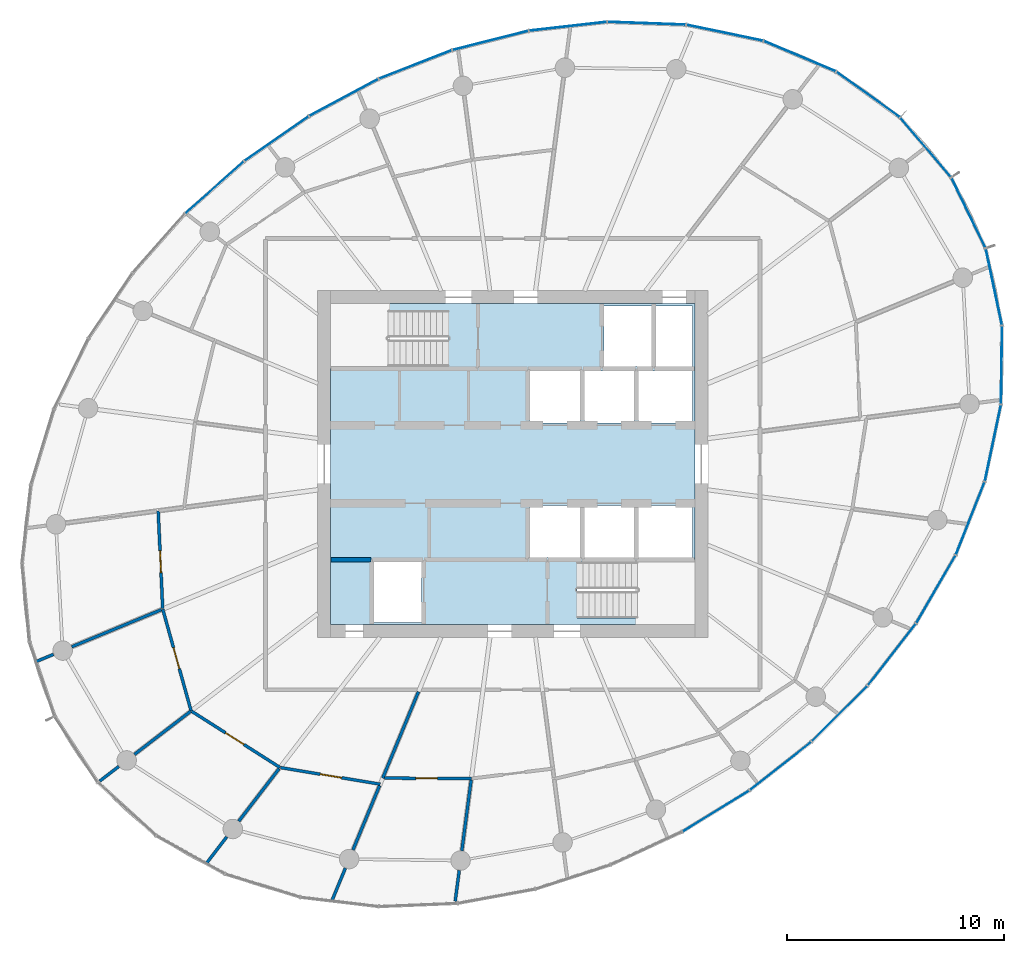
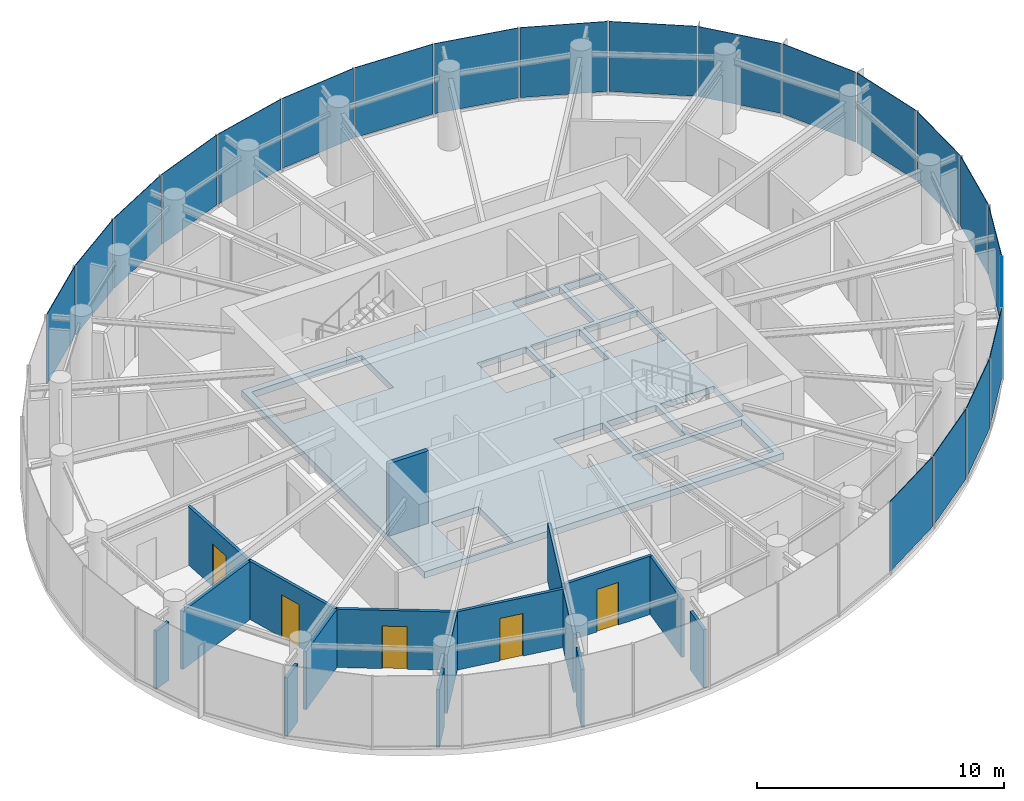
# One storey, part 9 of 15: 21 plates, 17 walls, 5 doors, 1 slab, 5 openings, 4 elements without a shape of their own.
"""IFC4 building model written with IfcOpenShell, lengths in metres."""

from ifc_helpers import new_model, si_unit, direction, frame, frame_2d, origin, origin_2d, place, context, subcontext, project, spatial, line, indexed_curve, rectangle, outline, extrude, source, transform, mapped, material, layer, layer_set, type_object, element, fill, aggregate, save


model = new_model("IFC4")

# Units and contexts
model_context = context("Model", 3, precision=1e-05, world=origin(), true_north=direction((0.0, 1.0)))
body_context = subcontext(model_context, "Body", "Model", "MODEL_VIEW")
ifc_project = project(units=[si_unit("LENGTHUNIT", "METRE"), si_unit("AREAUNIT", "SQUARE_METRE"), si_unit("VOLUMEUNIT", "CUBIC_METRE"), si_unit("PLANEANGLEUNIT", "RADIAN"), si_unit("MASSUNIT", "GRAM", prefix="KILO")], contexts=[model_context])

# Site, building, storey
site_placement = place(None, origin())
site = spatial("IfcSite", under=ifc_project, at=site_placement, CompositionType="ELEMENT")
building_placement = place(site_placement, origin())
building = spatial("IfcBuilding", under=site, at=building_placement, Name="Spindrift Exchange Tower", CompositionType="ELEMENT")
storey_placement = place(building_placement, frame((0.0, 0.0, 191.60009765625)))
storey = spatial("IfcBuildingStorey", under=building, at=storey_placement, Name="L46", CompositionType="ELEMENT", Elevation=191.60009765625)

# Slab
ifc_material_1 = material(Name="Concrete 50 MPa", Category="concrete")
ifc_layer_1 = layer(ifc_material_1, 0.320068359375)
ifc_layer_set_1 = layer_set([ifc_layer_1], Name="SL-CORE-FLOOR-320")
slab_type = type_object("IfcSlabType", Name="SL-CORE-FLOOR-320", PredefinedType="FLOOR", material=ifc_layer_set_1)
slab_placement = place(storey_placement, frame((0.0, 0.0, -0.320068359375)))
element("IfcSlab", 1, at=slab_placement, inside=storey, type_object=slab_type, Name="L46 Core floor slab", PredefinedType="FLOOR", context=body_context, shape_type="SweptSolid", body=[
    extrude(outline(indexed_curve([(43.60009765625, 40.60009765625), (43.60009765625, 55.39990234375), (60.39990234375, 55.39990234375), (60.39990234375, 40.60009765625)], segments=[line(1, 2, 3, 4, 1)], self_intersect=False), holes=[indexed_curve([(45.60009765625, 43.5), (45.60009765625, 40.699951171875), (47.800048828125, 40.699951171875), (47.800048828125, 43.5)], segments=[line(1, 2, 3, 4, 1)], self_intersect=False), indexed_curve([(52.800048828125, 46.10009765625), (52.800048828125, 43.699951171875), (55.10009765625, 43.699951171875), (55.10009765625, 46.10009765625)], segments=[line(1, 2, 3, 4, 1)], self_intersect=False), indexed_curve([(55.300048828125, 46.10009765625), (55.300048828125, 43.699951171875), (57.60009765625, 43.699951171875), (57.60009765625, 46.10009765625)], segments=[line(1, 2, 3, 4, 1)], self_intersect=False), indexed_curve([(55.10009765625, 52.300048828125), (52.800048828125, 52.300048828125), (52.800048828125, 49.89990234375), (55.10009765625, 49.89990234375)], segments=[line(1, 2, 3, 4, 1)], self_intersect=False), indexed_curve([(57.60009765625, 52.300048828125), (55.300048828125, 52.300048828125), (55.300048828125, 49.89990234375), (57.60009765625, 49.89990234375)], segments=[line(1, 2, 3, 4, 1)], self_intersect=False), indexed_curve([(43.906005859375, 52.506103515625), (49.0439453125, 52.506103515625), (49.0439453125, 55.093994140625), (43.906005859375, 55.093994140625)], segments=[line(1, 2, 3, 4, 1)], self_intersect=False), indexed_curve([(60.093994140625, 40.906005859375), (60.093994140625, 43.493896484375), (54.9560546875, 43.493896484375), (54.9560546875, 40.906005859375)], segments=[line(1, 2, 3, 4, 1)], self_intersect=False), indexed_curve([(60.300048828125, 46.10009765625), (57.800048828125, 46.10009765625), (57.800048828125, 43.699951171875), (60.300048828125, 43.699951171875)], segments=[line(1, 2, 3, 4, 1)], self_intersect=False), indexed_curve([(57.800048828125, 52.300048828125), (57.800048828125, 49.89990234375), (60.300048828125, 49.89990234375), (60.300048828125, 52.300048828125)], segments=[line(1, 2, 3, 4, 1)], self_intersect=False), indexed_curve([(58.39990234375, 55.300048828125), (56.199951171875, 55.300048828125), (56.199951171875, 52.5), (58.39990234375, 52.5)], segments=[line(1, 2, 3, 4, 1)], self_intersect=False), indexed_curve([(60.300048828125, 55.300048828125), (58.60009765625, 55.300048828125), (58.60009765625, 52.5), (60.300048828125, 52.5)], segments=[line(1, 2, 3, 4, 1)], self_intersect=False)]), origin(), (0.0, 0.0, 1.0), 0.320068359375),
])

# Curtain wall, plate
ifc_material_2 = material(Name="Fritted laminated glass with bronze frame", Category="glass")
ifc_layer_2 = layer(ifc_material_2, 0.169921875)
ifc_layer_set_2 = layer_set([ifc_layer_2], Name="ZONE 4 BRONZE FRITTED WALL")
curtain_wall_type = type_object("IfcCurtainWallType", Name="ZONE 4 BRONZE FRITTED WALL", PredefinedType="NOTDEFINED", material=ifc_layer_set_2)
curtain_wall_1_placement = place(storey_placement, origin())
curtain_wall_1 = element("IfcCurtainWall", 2, at=curtain_wall_1_placement, inside=storey, type_object=curtain_wall_type, Name="L46 Zone 4 Bronze Fritted Wall run 2", PredefinedType="NOTDEFINED")
ifc_material_3 = material(Name="Bronze fritted laminated glass, open frit", Category="glass")
ifc_layer_3 = layer(ifc_material_3, 0.030029296875)
ifc_layer_set_3 = layer_set([ifc_layer_3], Name="ZONE 4 BRONZE FRITTED WALL PANEL OPEN FRIT 600")
plate_type_1 = type_object("IfcPlateType", Name="ZONE 4 BRONZE FRITTED WALL PANEL OPEN FRIT 600", PredefinedType="CURTAIN_PANEL", material=ifc_layer_set_3)
shared_shape_1 = source(origin(), body_context, "Body", "SweptSolid", [
    extrude(rectangle(XDim=3.577392578125, YDim=0.030029296875, at=origin_2d()), origin(), (0.0, 0.0, 1.0), 3.455078125),
])
plate_1_placement = place(storey_placement, frame((50.971923828125, 67.53662109375, 0.124755859375), z_axis=(0.0, 0.0, 1.0), x_axis=(-0.969458620883, -0.245254933479, 0.0)))
plate_1 = element("IfcPlate", 3, at=plate_1_placement, type_object=plate_type_1, Name="L46 panel CW-4.7", PredefinedType="CURTAIN_PANEL", context=body_context, shape_type="MappedRepresentation", body=[
    mapped(shared_shape_1, transform((0.0, 0.0, 0.0), scale=1.0)),
])

# Curtain wall, plates
curtain_wall_2_placement = place(storey_placement, origin())
curtain_wall_2 = element("IfcCurtainWall", 4, at=curtain_wall_2_placement, inside=storey, type_object=curtain_wall_type, Name="L46 Zone 4 Bronze Fritted Wall run 5", PredefinedType="NOTDEFINED")
ifc_layer_4 = layer(ifc_material_3, 0.030029296875)
ifc_layer_set_4 = layer_set([ifc_layer_4], Name="ZONE 4 BRONZE FRITTED WALL PANEL OPEN FRIT 360")
plate_type_2 = type_object("IfcPlateType", Name="ZONE 4 BRONZE FRITTED WALL PANEL OPEN FRIT 360", PredefinedType="CURTAIN_PANEL", material=ifc_layer_set_4)
shared_shape_2 = source(origin(), body_context, "Body", "SweptSolid", [
    extrude(rectangle(XDim=3.57763671875, YDim=0.030029296875, at=origin_2d()), origin(), (0.0, 0.0, 1.0), 3.455078125),
])
plate_2_placement = place(storey_placement, frame((64.35498046875, 34.078369140625, 0.124755859375), z_axis=(0.0, 0.0, 1.0), x_axis=(0.786138515784, 0.618050349082, 0.0)))
plate_2 = element("IfcPlate", 5, at=plate_2_placement, type_object=plate_type_2, Name="L46 panel CW-4.29", PredefinedType="CURTAIN_PANEL", context=body_context, shape_type="MappedRepresentation", body=[
    mapped(shared_shape_2, transform((0.0, 0.0, 0.0), scale=1.0)),
])
plate_3_placement = place(storey_placement, frame((67.0751953125, 36.49169921875, 0.124755859375), z_axis=(0.0, 0.0, 1.0), x_axis=(0.707285707993, 0.706927809093, 0.0)))
plate_3 = element("IfcPlate", 6, at=plate_3_placement, type_object=plate_type_2, Name="L46 panel CW-4.30", PredefinedType="CURTAIN_PANEL", context=body_context, shape_type="MappedRepresentation", body=[
    mapped(shared_shape_2, transform((0.0, 0.0, 0.0), scale=1.0)),
])

# Plate
shared_shape_3 = source(origin(), body_context, "Body", "SweptSolid", [
    extrude(rectangle(XDim=3.577880859375, YDim=0.030029296875, at=origin_2d()), origin(), (0.0, 0.0, 1.0), 3.455078125),
])
plate_4_placement = place(storey_placement, frame((41.107177734375, 63.00390625, 0.124755859375), z_axis=(0.0, 0.0, 1.0), x_axis=(-0.820811393258, -0.571199314336, 0.0)))
plate_4 = element("IfcPlate", 7, at=plate_4_placement, type_object=plate_type_2, Name="L46 panel CW-4.10", PredefinedType="CURTAIN_PANEL", context=body_context, shape_type="MappedRepresentation", body=[
    mapped(shared_shape_3, transform((0.0, 0.0, 0.0), scale=1.0)),
])

plate_5_placement = place(storey_placement, frame((61.3701171875, 32.000732421875, 0.124755859375), z_axis=(0.0, 0.0, 1.0), x_axis=(0.852610981199, 0.522546184311, 0.0)))
plate_5 = element("IfcPlate", 8, at=plate_5_placement, type_object=plate_type_2, Name="L46 panel CW-4.28", PredefinedType="CURTAIN_PANEL", context=body_context, shape_type="MappedRepresentation", body=[
    mapped(shared_shape_3, transform((0.0, 0.0, 0.0), scale=1.0)),
])

aggregate(curtain_wall_2, [plate_5, plate_2, plate_3])

shared_shape_4 = source(origin(), body_context, "Body", "SweptSolid", [
    extrude(rectangle(XDim=3.577880859375, YDim=0.030029296875, at=origin_2d()), origin(), (0.0, 0.0, 1.0), 3.455078125),
])
plate_6_placement = place(storey_placement, frame((44.2080078125, 64.904052734375, 0.124755859375), z_axis=(0.0, 0.0, 1.0), x_axis=(-0.881628197795, -0.471944616298, 0.0)))
plate_6 = element("IfcPlate", 9, at=plate_6_placement, type_object=plate_type_1, Name="L46 panel CW-4.9", PredefinedType="CURTAIN_PANEL", context=body_context, shape_type="MappedRepresentation", body=[
    mapped(shared_shape_4, transform((0.0, 0.0, 0.0), scale=1.0)),
])

plate_7_placement = place(storey_placement, frame((38.248779296875, 60.755615234375, 0.124755859375), z_axis=(0.0, 0.0, 1.0), x_axis=(-0.748388766795, -0.663260321243, 0.0)))
plate_7 = element("IfcPlate", 10, at=plate_7_placement, type_object=plate_type_1, Name="L46 panel CW-4.11", PredefinedType="CURTAIN_PANEL", context=body_context, shape_type="MappedRepresentation", body=[
    mapped(shared_shape_4, transform((0.0, 0.0, 0.0), scale=1.0)),
])

# Curtain wall, plate
curtain_wall_3_placement = place(storey_placement, origin())
curtain_wall_3 = element("IfcCurtainWall", 11, at=curtain_wall_3_placement, inside=storey, type_object=curtain_wall_type, Name="L46 Zone 4 Bronze Fritted Wall run 6", PredefinedType="NOTDEFINED")
ifc_layer_5 = layer(ifc_material_3, 0.030029296875)
ifc_layer_set_5 = layer_set([ifc_layer_5], Name="ZONE 4 BRONZE FRITTED WALL PANEL OPEN FRIT 480")
plate_type_3 = type_object("IfcPlateType", Name="ZONE 4 BRONZE FRITTED WALL PANEL OPEN FRIT 480", PredefinedType="CURTAIN_PANEL", material=ifc_layer_set_5)
shared_shape_5 = source(origin(), body_context, "Body", "SweptSolid", [
    extrude(rectangle(XDim=3.577392578125, YDim=0.030029296875, at=origin_2d()), origin(), (0.0, 0.0, 1.0), 3.455078125),
])
plate_8_placement = place(storey_placement, frame((69.48095703125, 39.216796875, 0.124755859375), z_axis=(0.0, 0.0, 1.0), x_axis=(0.613756212948, 0.789495605477, 0.0)))
plate_8 = element("IfcPlate", 12, at=plate_8_placement, type_object=plate_type_3, Name="L46 panel CW-4.31", PredefinedType="CURTAIN_PANEL", context=body_context, shape_type="MappedRepresentation", body=[
    mapped(shared_shape_5, transform((0.0, 0.0, 0.0), scale=1.0)),
])

# Curtain wall, plates
curtain_wall_4_placement = place(storey_placement, origin())
curtain_wall_4 = element("IfcCurtainWall", 13, at=curtain_wall_4_placement, inside=storey, type_object=curtain_wall_type, Name="L46 Zone 4 Bronze Fritted Wall run 1", PredefinedType="NOTDEFINED")
shared_shape_6 = source(origin(), body_context, "Body", "SweptSolid", [
    extrude(rectangle(XDim=3.5703125, YDim=0.030029296875, at=origin_2d()), origin(), (0.0, 0.0, 1.0), 3.455078125),
])
plate_9_placement = place(storey_placement, frame((71.04541015625, 62.601806640625, 0.124755859375), z_axis=(0.0, 0.0, 1.0), x_axis=(-0.648461423569, 0.761247517003, 0.0)))
plate_9 = element("IfcPlate", 14, at=plate_9_placement, type_object=plate_type_1, Name="L46 panel CW-4.1", PredefinedType="CURTAIN_PANEL", context=body_context, shape_type="MappedRepresentation", body=[
    mapped(shared_shape_6, transform((0.0, 0.0, 0.0), scale=1.0)),
])
shared_shape_7 = source(origin(), body_context, "Body", "SweptSolid", [
    extrude(rectangle(XDim=3.571533203125, YDim=0.030029296875, at=origin_2d()), origin(), (0.0, 0.0, 1.0), 3.455078125),
])
plate_10_placement = place(storey_placement, frame((68.38818359375, 65.04345703125, 0.124755859375), z_axis=(0.0, 0.0, 1.0), x_axis=(-0.813229772595, 0.581942726533, 0.0)))
plate_10 = element("IfcPlate", 15, at=plate_10_placement, type_object=plate_type_3, Name="L46 panel CW-4.2", PredefinedType="CURTAIN_PANEL", context=body_context, shape_type="MappedRepresentation", body=[
    mapped(shared_shape_7, transform((0.0, 0.0, 0.0), scale=1.0)),
])
shared_shape_8 = source(origin(), body_context, "Body", "SweptSolid", [
    extrude(rectangle(XDim=3.5732421875, YDim=0.030029296875, at=origin_2d()), origin(), (0.0, 0.0, 1.0), 3.455078125),
])
plate_11_placement = place(storey_placement, frame((65.233642578125, 66.809814453125, 0.124755859375), z_axis=(0.0, 0.0, 1.0), x_axis=(-0.92114465155, 0.389220414317, 0.0)))
plate_11 = element("IfcPlate", 16, at=plate_11_placement, type_object=plate_type_3, Name="L46 panel CW-4.3", PredefinedType="CURTAIN_PANEL", context=body_context, shape_type="MappedRepresentation", body=[
    mapped(shared_shape_8, transform((0.0, 0.0, 0.0), scale=1.0)),
])

# Plate
plate_12_placement = place(storey_placement, frame((74.539794921875, 52.5712890625, 0.124755859375), z_axis=(0.0, 0.0, 1.0), x_axis=(0.013248406761, 0.999912236008, 0.0)))
plate_12 = element("IfcPlate", 17, at=plate_12_placement, type_object=plate_type_3, Name="L46 panel CW-4.35", PredefinedType="CURTAIN_PANEL", context=body_context, shape_type="MappedRepresentation", body=[
    mapped(shared_shape_8, transform((0.0, 0.0, 0.0), scale=1.0)),
])

shared_shape_9 = source(origin(), body_context, "Body", "SweptSolid", [
    extrude(rectangle(XDim=3.574951171875, YDim=0.030029296875, at=origin_2d()), origin(), (0.0, 0.0, 1.0), 3.455078125),
])
plate_13_placement = place(storey_placement, frame((61.7763671875, 67.889404296875, 0.124755859375), z_axis=(0.0, 0.0, 1.0), x_axis=(-0.978927308056, 0.204209024146, 0.0)))
plate_13 = element("IfcPlate", 18, at=plate_13_placement, type_object=plate_type_2, Name="L46 panel CW-4.4", PredefinedType="CURTAIN_PANEL", context=body_context, shape_type="MappedRepresentation", body=[
    mapped(shared_shape_9, transform((0.0, 0.0, 0.0), scale=1.0)),
])

shared_shape_10 = source(origin(), body_context, "Body", "SweptSolid", [
    extrude(rectangle(XDim=3.576171875, YDim=0.030029296875, at=origin_2d()), origin(), (0.0, 0.0, 1.0), 3.455078125),
])
plate_14_placement = place(storey_placement, frame((58.17529296875, 68.327392578125, 0.124755859375), z_axis=(0.0, 0.0, 1.0), x_axis=(-0.999337635301, 0.03639080476, 0.0)))
plate_14 = element("IfcPlate", 19, at=plate_14_placement, type_object=plate_type_1, Name="L46 panel CW-4.5", PredefinedType="CURTAIN_PANEL", context=body_context, shape_type="MappedRepresentation", body=[
    mapped(shared_shape_10, transform((0.0, 0.0, 0.0), scale=1.0)),
])

shared_shape_11 = source(origin(), body_context, "Body", "SweptSolid", [
    extrude(rectangle(XDim=3.576904296875, YDim=0.030029296875, at=origin_2d()), origin(), (0.0, 0.0, 1.0), 3.455078125),
])
plate_15_placement = place(storey_placement, frame((54.546875, 68.188232421875, 0.124755859375), z_axis=(0.0, 0.0, 1.0), x_axis=(-0.993626861828, -0.112719383669, 0.0)))
plate_15 = element("IfcPlate", 20, at=plate_15_placement, type_object=plate_type_1, Name="L46 panel CW-4.6", PredefinedType="CURTAIN_PANEL", context=body_context, shape_type="MappedRepresentation", body=[
    mapped(shared_shape_11, transform((0.0, 0.0, 0.0), scale=1.0)),
])

aggregate(curtain_wall_4, [plate_9, plate_10, plate_11, plate_13, plate_14, plate_15])

shared_shape_12 = source(origin(), body_context, "Body", "SweptSolid", [
    extrude(rectangle(XDim=3.57763671875, YDim=0.030029296875, at=origin_2d()), origin(), (0.0, 0.0, 1.0), 3.455078125),
])
plate_16_placement = place(storey_placement, frame((47.510009765625, 66.4267578125, 0.124755859375), z_axis=(0.0, 0.0, 1.0), x_axis=(-0.931371334695, -0.364070648238, 0.0)))
plate_16 = element("IfcPlate", 21, at=plate_16_placement, type_object=plate_type_1, Name="L46 panel CW-4.8", PredefinedType="CURTAIN_PANEL", context=body_context, shape_type="MappedRepresentation", body=[
    mapped(shared_shape_12, transform((0.0, 0.0, 0.0), scale=1.0)),
])

aggregate(curtain_wall_1, [plate_1, plate_16, plate_6, plate_4, plate_7])

shared_shape_13 = source(origin(), body_context, "Body", "SweptSolid", [
    extrude(rectangle(XDim=3.576904296875, YDim=0.030029296875, at=origin_2d()), origin(), (0.0, 0.0, 1.0), 3.455078125),
])
plate_17_placement = place(storey_placement, frame((71.512939453125, 42.2294921875, 0.124755859375), z_axis=(0.0, 0.0, 1.0), x_axis=(0.502073851179, 0.864824749855, 0.0)))
plate_17 = element("IfcPlate", 22, at=plate_17_placement, type_object=plate_type_3, Name="L46 panel CW-4.32", PredefinedType="CURTAIN_PANEL", context=body_context, shape_type="MappedRepresentation", body=[
    mapped(shared_shape_13, transform((0.0, 0.0, 0.0), scale=1.0)),
])

shared_shape_14 = source(origin(), body_context, "Body", "SweptSolid", [
    extrude(rectangle(XDim=3.575927734375, YDim=0.030029296875, at=origin_2d()), origin(), (0.0, 0.0, 1.0), 3.455078125),
])
plate_18_placement = place(storey_placement, frame((73.0966796875, 45.497314453125, 0.124755859375), z_axis=(0.0, 0.0, 1.0), x_axis=(0.367751286832, 0.929924185638, 0.0)))
plate_18 = element("IfcPlate", 23, at=plate_18_placement, type_object=plate_type_2, Name="L46 panel CW-4.33", PredefinedType="CURTAIN_PANEL", context=body_context, shape_type="MappedRepresentation", body=[
    mapped(shared_shape_14, transform((0.0, 0.0, 0.0), scale=1.0)),
])

shared_shape_15 = source(origin(), body_context, "Body", "SweptSolid", [
    extrude(rectangle(XDim=3.574951171875, YDim=0.030029296875, at=origin_2d()), origin(), (0.0, 0.0, 1.0), 3.455078125),
])
plate_19_placement = place(storey_placement, frame((74.14111328125, 48.97119140625, 0.124755859375), z_axis=(0.0, 0.0, 1.0), x_axis=(0.205879688197, 0.978577311196, 0.0)))
plate_19 = element("IfcPlate", 24, at=plate_19_placement, type_object=plate_type_3, Name="L46 panel CW-4.34", PredefinedType="CURTAIN_PANEL", context=body_context, shape_type="MappedRepresentation", body=[
    mapped(shared_shape_15, transform((0.0, 0.0, 0.0), scale=1.0)),
])

shared_shape_16 = source(origin(), body_context, "Body", "SweptSolid", [
    extrude(rectangle(XDim=3.571533203125, YDim=0.030029296875, at=origin_2d()), origin(), (0.0, 0.0, 1.0), 3.455078125),
])
plate_20_placement = place(storey_placement, frame((74.188232421875, 56.169189453125, 0.124755859375), z_axis=(0.0, 0.0, 1.0), x_axis=(-0.206596967454, 0.978426130599, 0.0)))
plate_20 = element("IfcPlate", 25, at=plate_20_placement, type_object=plate_type_2, Name="L46 panel CW-4.36", PredefinedType="CURTAIN_PANEL", context=body_context, shape_type="MappedRepresentation", body=[
    mapped(shared_shape_16, transform((0.0, 0.0, 0.0), scale=1.0)),
])

shared_shape_17 = source(origin(), body_context, "Body", "SweptSolid", [
    extrude(rectangle(XDim=3.5703125, YDim=0.030029296875, at=origin_2d()), origin(), (0.0, 0.0, 1.0), 3.455078125),
])
plate_21_placement = place(storey_placement, frame((73.018310546875, 59.583251953125, 0.124755859375), z_axis=(0.0, 0.0, 1.0), x_axis=(-0.436972913133, 0.899474665117, 0.0)))
plate_21 = element("IfcPlate", 26, at=plate_21_placement, type_object=plate_type_3, Name="L46 panel CW-4.37", PredefinedType="CURTAIN_PANEL", context=body_context, shape_type="MappedRepresentation", body=[
    mapped(shared_shape_17, transform((0.0, 0.0, 0.0), scale=1.0)),
])

aggregate(curtain_wall_3, [plate_8, plate_17, plate_18, plate_19, plate_12, plate_20, plate_21])

# Wall, opening, door
ifc_material_4 = material(Name="Fire-rated plasterboard partition", Category="gypsum")
ifc_layer_6 = layer(ifc_material_4, 0.139892578125)
ifc_layer_set_6 = layer_set([ifc_layer_6], Name="W-PART-140")
wall_type_1 = type_object("IfcWallType", Name="W-PART-140", PredefinedType="PARTITIONING", material=ifc_layer_set_6)
wall_1_placement = place(storey_placement, frame((37.17041015625, 36.620849609375, 0.0), z_axis=(0.0, 0.0, 1.0), x_axis=(-0.268661699129, 0.963234598331, 0.0)))
wall_1 = element("IfcWall", 27, at=wall_1_placement, inside=storey, type_object=wall_type_1, Name="L46 Partition wall 32", PredefinedType="PARTITIONING", context=body_context, shape_type="SweptSolid", body=[
    extrude(rectangle(XDim=4.87353515625, YDim=0.139892578125, at=frame_2d((2.436767578125, 0.0))), origin(), (0.0, 0.0, 1.0), 2.8798828125),
])
opening_1_placement = place(wall_1_placement, frame((2.0234375, 0.0, 0.0)))
opening_1 = element("IfcOpeningElement", 28, at=opening_1_placement, cuts=wall_1, Name="Opening L46-D23", PredefinedType="OPENING", context=body_context, shape_type="SweptSolid", body=[
    extrude(rectangle(XDim=1.0, YDim=2.10009765625, at=frame_2d((0.5, 1.050048828125))), frame((0.0, 0.079833984375, 0.0), z_axis=(0.0, -1.0, 0.0), x_axis=(1.0, 0.0, 0.0)), (0.0, 0.0, 1.0), 0.159912109375),
])
ifc_material_5 = material(Name="Timber-core fire door", Category="wood")
door_type = type_object("IfcDoorType", Name="DR-ROOM-1000", OperationType="NOTDEFINED", PredefinedType="DOOR", material=ifc_material_5)
shared_shape_18 = source(origin(), body_context, "Body", "SweptSolid", [
    extrude(rectangle(XDim=1.0, YDim=2.10009765625, at=frame_2d((0.5, 1.050048828125))), frame((0.0, 0.02490234375, 0.0), z_axis=(0.0, -1.0, 0.0), x_axis=(1.0, 0.0, 0.0)), (0.0, 0.0, 1.0), 0.050048828125),
])
door_1_placement = place(opening_1_placement, origin())
door_1 = element("IfcDoor", 29, at=door_1_placement, inside=storey, type_object=door_type, Name="L46 Door 23", OperationType="SINGLE_SWING_LEFT", OverallHeight=2.10009765625, OverallWidth=1.0, PredefinedType="DOOR", context=body_context, shape_type="MappedRepresentation", body=[
    mapped(shared_shape_18, transform((0.0, 0.0, 0.0), scale=1.0)),
])
fill(opening_1, door_1)

wall_2_placement = place(storey_placement, frame((41.267578125, 34.013427734375, 0.0), z_axis=(0.0, 0.0, 1.0), x_axis=(-0.843659404932, 0.536878765151, 0.0)))
wall_2 = element("IfcWall", 30, at=wall_2_placement, inside=storey, type_object=wall_type_1, Name="L46 Partition wall 33", PredefinedType="PARTITIONING", context=body_context, shape_type="SweptSolid", body=[
    extrude(rectangle(XDim=4.82666015625, YDim=0.139892578125, at=frame_2d((2.413330078125, 0.0))), origin(), (0.0, 0.0, 1.0), 2.8798828125),
])
opening_2_placement = place(wall_2_placement, frame((1.976806640625, 0.0, 0.0)))
opening_2 = element("IfcOpeningElement", 31, at=opening_2_placement, cuts=wall_2, Name="Opening L46-D24", PredefinedType="OPENING", context=body_context, shape_type="SweptSolid", body=[
    extrude(rectangle(XDim=1.0, YDim=2.10009765625, at=frame_2d((0.5, 1.050048828125))), frame((0.0, 0.079833984375, 0.0), z_axis=(0.0, -1.0, 0.0), x_axis=(1.0, 0.0, 0.0)), (0.0, 0.0, 1.0), 0.159912109375),
])
door_2_placement = place(opening_2_placement, origin())
door_2 = element("IfcDoor", 32, at=door_2_placement, inside=storey, type_object=door_type, Name="L46 Door 24", OperationType="SINGLE_SWING_RIGHT", OverallHeight=2.10009765625, OverallWidth=1.0, PredefinedType="DOOR", context=body_context, shape_type="MappedRepresentation", body=[
    mapped(shared_shape_18, transform((0.0, 0.0, 0.0), scale=1.0)),
])
fill(opening_2, door_2)

wall_3_placement = place(storey_placement, frame((45.8876953125, 33.243408203125, 0.0), z_axis=(0.0, 0.0, 1.0), x_axis=(-0.9863910879, 0.164416001993, 0.0)))
wall_3 = element("IfcWall", 33, at=wall_3_placement, inside=storey, type_object=wall_type_1, Name="L46 Partition wall 36", PredefinedType="PARTITIONING", context=body_context, shape_type="SweptSolid", body=[
    extrude(rectangle(XDim=4.653564453125, YDim=0.139892578125, at=frame_2d((2.32666015625, 0.0))), origin(), (0.0, 0.0, 1.0), 2.8798828125),
])
opening_3_placement = place(wall_3_placement, frame((1.8037109375, 0.0, 0.0)))
opening_3 = element("IfcOpeningElement", 34, at=opening_3_placement, cuts=wall_3, Name="Opening L46-D25", PredefinedType="OPENING", context=body_context, shape_type="SweptSolid", body=[
    extrude(rectangle(XDim=1.0, YDim=2.10009765625, at=frame_2d((0.5, 1.050048828125))), frame((0.0, 0.079833984375, 0.0), z_axis=(0.0, -1.0, 0.0), x_axis=(1.0, 0.0, 0.0)), (0.0, 0.0, 1.0), 0.159912109375),
])
door_3_placement = place(opening_3_placement, origin())
door_3 = element("IfcDoor", 35, at=door_3_placement, inside=storey, type_object=door_type, Name="L46 Door 25", OperationType="SINGLE_SWING_LEFT", OverallHeight=2.10009765625, OverallWidth=1.0, PredefinedType="DOOR", context=body_context, shape_type="MappedRepresentation", body=[
    mapped(shared_shape_18, transform((0.0, 0.0, 0.0), scale=1.0)),
])
fill(opening_3, door_3)

# Wall
wall_4_placement = place(storey_placement, frame((35.7958984375, 41.2880859375, 0.0), z_axis=(0.0, 0.0, 1.0), x_axis=(-0.923875004064, -0.38269436482, 0.0)))
element("IfcWall", 36, at=wall_4_placement, inside=storey, type_object=wall_type_1, Name="L46 Partition wall 38", PredefinedType="PARTITIONING", context=body_context, shape_type="SweptSolid", body=[
    extrude(rectangle(XDim=4.46875, YDim=0.139892578125, at=frame_2d((2.234375, 0.0))), origin(), (0.0, 0.0, 1.0), 2.8798828125),
])

# Wall, opening, door
wall_5_placement = place(storey_placement, frame((35.85986328125, 41.344970703125, 0.0), z_axis=(0.0, 0.0, 1.0), x_axis=(-0.046201221432, 0.998932153421, 0.0)))
wall_5 = element("IfcWall", 37, at=wall_5_placement, inside=storey, type_object=wall_type_1, Name="L46 Partition wall 39", PredefinedType="PARTITIONING", context=body_context, shape_type="SweptSolid", body=[
    extrude(rectangle(XDim=4.507568359375, YDim=0.139892578125, at=frame_2d((2.25390625, 0.0))), origin(), (0.0, 0.0, 1.0), 2.8798828125),
])
opening_4_placement = place(wall_5_placement, frame((1.657470703125, 0.0, 0.0)))
opening_4 = element("IfcOpeningElement", 38, at=opening_4_placement, cuts=wall_5, Name="Opening L46-D22", PredefinedType="OPENING", context=body_context, shape_type="SweptSolid", body=[
    extrude(rectangle(XDim=1.0, YDim=2.10009765625, at=frame_2d((0.5, 1.050048828125))), frame((0.0, 0.079833984375, 0.0), z_axis=(0.0, -1.0, 0.0), x_axis=(1.0, 0.0, 0.0)), (0.0, 0.0, 1.0), 0.159912109375),
])
door_4_placement = place(opening_4_placement, origin())
door_4 = element("IfcDoor", 39, at=door_4_placement, inside=storey, type_object=door_type, Name="L46 Door 22", OperationType="SINGLE_SWING_RIGHT", OverallHeight=2.10009765625, OverallWidth=1.0, PredefinedType="DOOR", context=body_context, shape_type="MappedRepresentation", body=[
    mapped(shared_shape_18, transform((0.0, 0.0, 0.0), scale=1.0)),
])
fill(opening_4, door_4)

# Wall
wall_6_placement = place(storey_placement, frame((47.65478515625, 37.510009765625, 0.0), z_axis=(0.0, 0.0, 1.0), x_axis=(-0.382638241607, -0.923898249841, 0.0)))
element("IfcWall", 40, at=wall_6_placement, inside=storey, type_object=wall_type_1, Name="L46 Partition wall 41", PredefinedType="PARTITIONING", context=body_context, shape_type="SweptSolid", body=[
    extrude(rectangle(XDim=4.315673828125, YDim=0.139892578125, at=frame_2d((2.15771484375, 0.0))), origin(), (0.0, 0.0, 1.0), 2.8798828125),
])

# Wall, opening, door
wall_7_placement = place(storey_placement, frame((50.091552734375, 33.50341796875, 0.0), z_axis=(0.0, 0.0, 1.0), x_axis=(-0.999989026326, 0.00468478675, 0.0)))
wall_7 = element("IfcWall", 41, at=wall_7_placement, inside=storey, type_object=wall_type_1, Name="L46 Partition wall 53", PredefinedType="PARTITIONING", context=body_context, shape_type="SweptSolid", body=[
    extrude(rectangle(XDim=4.0126953125, YDim=0.139892578125, at=frame_2d((2.00634765625, 0.0))), origin(), (0.0, 0.0, 1.0), 2.8798828125),
])
opening_5_placement = place(wall_7_placement, frame((1.5625, 0.0, 0.0)))
opening_5 = element("IfcOpeningElement", 42, at=opening_5_placement, cuts=wall_7, Name="Opening L46-D28", PredefinedType="OPENING", context=body_context, shape_type="SweptSolid", body=[
    extrude(rectangle(XDim=1.0, YDim=2.10009765625, at=frame_2d((0.5, 1.050048828125))), frame((0.0, 0.079833984375, 0.0), z_axis=(0.0, -1.0, 0.0), x_axis=(1.0, 0.0, 0.0)), (0.0, 0.0, 1.0), 0.159912109375),
])
door_5_placement = place(opening_5_placement, origin())
door_5 = element("IfcDoor", 43, at=door_5_placement, inside=storey, type_object=door_type, Name="L46 Door 28", OperationType="SINGLE_SWING_RIGHT", OverallHeight=2.10009765625, OverallWidth=1.0, PredefinedType="DOOR", context=body_context, shape_type="MappedRepresentation", body=[
    mapped(shared_shape_18, transform((0.0, 0.0, 0.0), scale=1.0)),
])
fill(opening_5, door_5)

# Walls
wall_8_placement = place(storey_placement, frame((50.082275390625, 33.43359375, 0.0), z_axis=(0.0, 0.0, 1.0), x_axis=(-0.130554348709, -0.991441154095, 0.0)))
element("IfcWall", 44, at=wall_8_placement, inside=storey, type_object=wall_type_1, Name="L46 Partition wall 66", PredefinedType="PARTITIONING", context=body_context, shape_type="SweptSolid", body=[
    extrude(rectangle(XDim=3.289306640625, YDim=0.139892578125, at=frame_2d((1.64453125, 0.0))), origin(), (0.0, 0.0, 1.0), 2.8798828125),
])
wall_9_placement = place(storey_placement, frame((37.146484375, 36.6025390625, 0.0), z_axis=(0.0, 0.0, 1.0), x_axis=(-0.79334126978, -0.608777159282, 0.0)))
element("IfcWall", 45, at=wall_9_placement, inside=storey, type_object=wall_type_1, Name="L46 Partition wall 68", PredefinedType="PARTITIONING", context=body_context, shape_type="SweptSolid", body=[
    extrude(rectangle(XDim=3.261962890625, YDim=0.139892578125, at=frame_2d((1.630859375, 0.0))), origin(), (0.0, 0.0, 1.0), 2.8798828125),
])
wall_10_placement = place(storey_placement, frame((45.860107421875, 33.177001953125, 0.0), z_axis=(0.0, 0.0, 1.0), x_axis=(-0.382703241838, -0.92387132691, 0.0)))
element("IfcWall", 46, at=wall_10_placement, inside=storey, type_object=wall_type_1, Name="L46 Partition wall 69", PredefinedType="PARTITIONING", context=body_context, shape_type="SweptSolid", body=[
    extrude(rectangle(XDim=3.210693359375, YDim=0.139892578125, at=frame_2d((1.60546875, 0.0))), origin(), (0.0, 0.0, 1.0), 2.8798828125),
])
wall_11_placement = place(storey_placement, frame((41.224853515625, 33.95751953125, 0.0), z_axis=(0.0, 0.0, 1.0), x_axis=(-0.608774269811, -0.793343487032, 0.0)))
element("IfcWall", 47, at=wall_11_placement, inside=storey, type_object=wall_type_1, Name="L46 Partition wall 70", PredefinedType="PARTITIONING", context=body_context, shape_type="SweptSolid", body=[
    extrude(rectangle(XDim=3.05029296875, YDim=0.139892578125, at=frame_2d((1.525146484375, 0.0))), origin(), (0.0, 0.0, 1.0), 2.8798828125),
])
wall_12_placement = place(storey_placement, frame((44.283203125, 29.369873046875, 0.0), z_axis=(0.0, 0.0, 1.0), x_axis=(-0.382783129322, -0.923838230377, 0.0)))
element("IfcWall", 48, at=wall_12_placement, inside=storey, type_object=wall_type_1, Name="L46 Partition wall 83", PredefinedType="PARTITIONING", context=body_context, shape_type="SweptSolid", body=[
    extrude(rectangle(XDim=1.599609375, YDim=0.139892578125, at=frame_2d((0.7998046875, 0.0))), origin(), (0.0, 0.0, 1.0), 2.8798828125),
])
wall_13_placement = place(storey_placement, frame((38.814453125, 30.81640625, 0.0), z_axis=(0.0, 0.0, 1.0), x_axis=(-0.608734333178, -0.793374130919, 0.0)))
element("IfcWall", 49, at=wall_13_placement, inside=storey, type_object=wall_type_1, Name="L46 Partition wall 84", PredefinedType="PARTITIONING", context=body_context, shape_type="SweptSolid", body=[
    extrude(rectangle(XDim=1.523193359375, YDim=0.139892578125, at=frame_2d((0.76171875, 0.0))), origin(), (0.0, 0.0, 1.0), 2.8798828125),
])
wall_14_placement = place(storey_placement, frame((49.5341796875, 29.27099609375, 0.0), z_axis=(0.0, 0.0, 1.0), x_axis=(-0.130472090904, -0.991451982445, 0.0)))
element("IfcWall", 50, at=wall_14_placement, inside=storey, type_object=wall_type_1, Name="L46 Partition wall 87", PredefinedType="PARTITIONING", context=body_context, shape_type="SweptSolid", body=[
    extrude(rectangle(XDim=1.43701171875, YDim=0.139892578125, at=frame_2d((0.718505859375, 0.0))), origin(), (0.0, 0.0, 1.0), 2.8798828125),
])
wall_15_placement = place(storey_placement, frame((33.83740234375, 34.063232421875, 0.0), z_axis=(0.0, 0.0, 1.0), x_axis=(-0.793400806733, -0.608699564544, 0.0)))
element("IfcWall", 51, at=wall_15_placement, inside=storey, type_object=wall_type_1, Name="L46 Partition wall 93", PredefinedType="PARTITIONING", context=body_context, shape_type="SweptSolid", body=[
    extrude(rectangle(XDim=1.10888671875, YDim=0.139892578125, at=frame_2d((0.554443359375, 0.0))), origin(), (0.0, 0.0, 1.0), 2.8798828125),
])
wall_16_placement = place(storey_placement, frame((30.826416015625, 39.229736328125, 0.0), z_axis=(0.0, 0.0, 1.0), x_axis=(-0.923855963606, -0.38274032778, 0.0)))
element("IfcWall", 52, at=wall_16_placement, inside=storey, type_object=wall_type_1, Name="L46 Partition wall 104", PredefinedType="PARTITIONING", context=body_context, shape_type="SweptSolid", body=[
    extrude(rectangle(XDim=0.850830078125, YDim=0.139892578125, at=frame_2d((0.42529296875, 0.0))), origin(), (0.0, 0.0, 1.0), 2.8798828125),
])
ifc_material_6 = material(Name="Concrete 40 MPa", Category="concrete")
ifc_layer_7 = layer(ifc_material_6, 0.199951171875)
ifc_layer_set_7 = layer_set([ifc_layer_7], Name="W-SHAFT-200")
wall_type_2 = type_object("IfcWallType", Name="W-SHAFT-200", PredefinedType="SOLIDWALL", material=ifc_layer_set_7)
wall_17_placement = place(storey_placement, frame((45.469970703125, 43.60009765625, 0.0), z_axis=(0.0, 0.0, 1.0), x_axis=(-1.0, 0.0, 0.0)))
element("IfcWall", 53, at=wall_17_placement, inside=storey, type_object=wall_type_2, Name="L46 Shaft wall 20", PredefinedType="SOLIDWALL", context=body_context, shape_type="SweptSolid", body=[
    extrude(rectangle(XDim=1.849853515625, YDim=0.199951171875, at=frame_2d((0.9248046875, 0.0))), origin(), (0.0, 0.0, 1.0), 3.579833984375),
])

save(model, "model.ifc")
